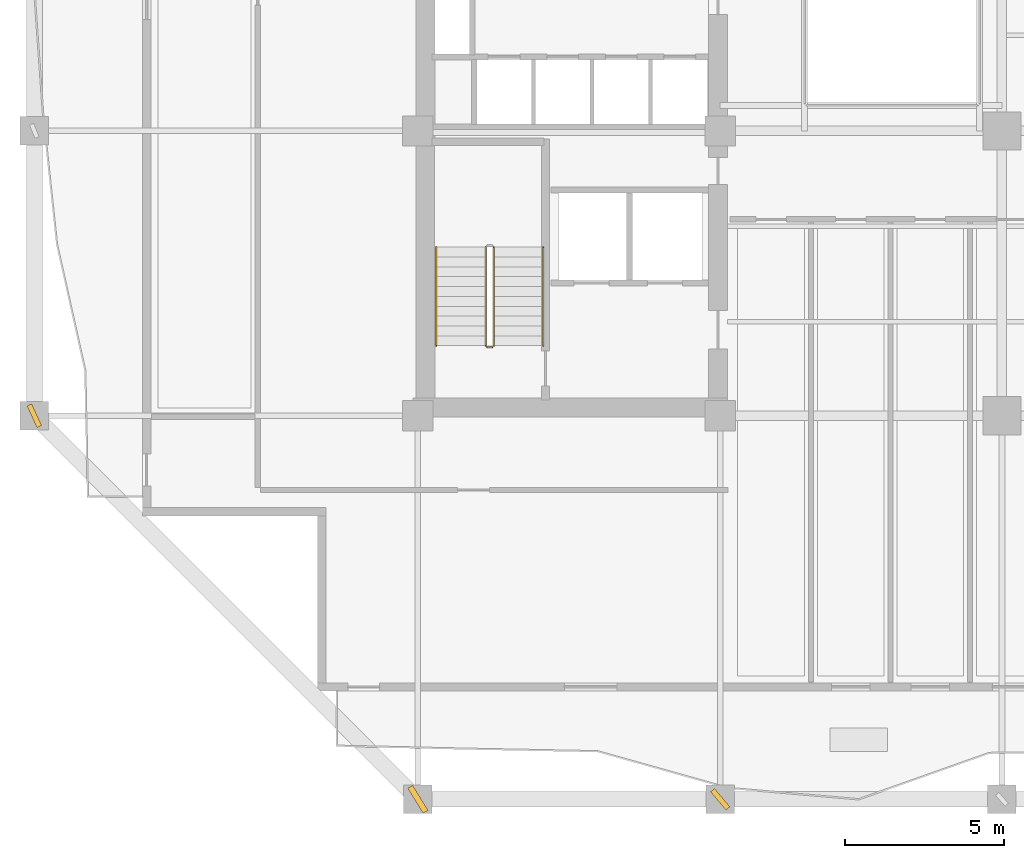
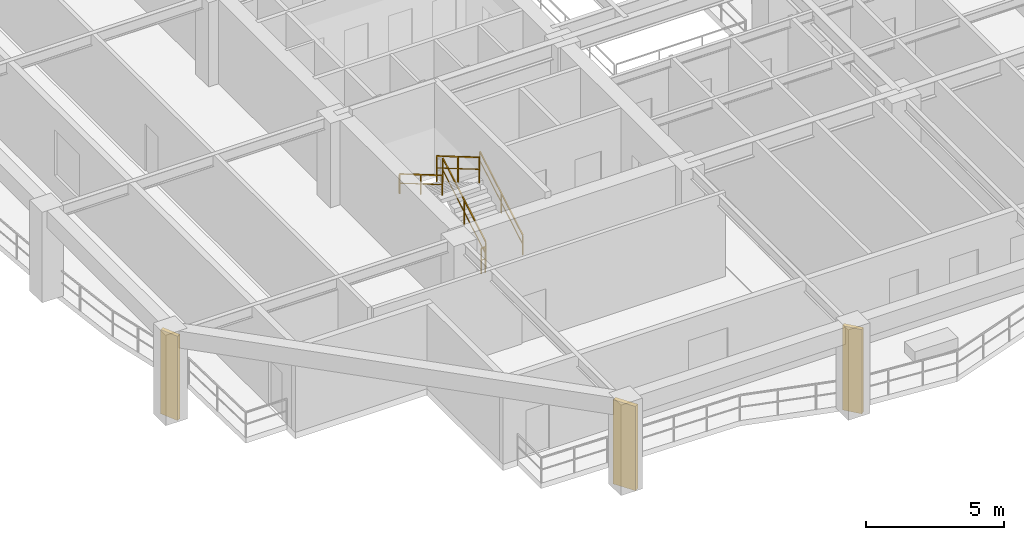
# One storey, part 7 of 13: 5 railings, 3 shading devices.
"""IFC4 building model written with IfcOpenShell, lengths in metres."""

from ifc_helpers import new_model, si_unit, direction, frame, origin, origin_2d, place, context, subcontext, project, spatial, rectangle, extrude, material, type_object, element, save


model = new_model("IFC4")

# Units and contexts
model_context = context("Model", 3, precision=1e-05, world=origin(), true_north=direction((0.0, 1.0)))
body_context = subcontext(model_context, "Body", "Model", "MODEL_VIEW")
ifc_project = project(units=[si_unit("LENGTHUNIT", "METRE"), si_unit("AREAUNIT", "SQUARE_METRE"), si_unit("VOLUMEUNIT", "CUBIC_METRE"), si_unit("PLANEANGLEUNIT", "RADIAN"), si_unit("MASSUNIT", "GRAM", prefix="KILO")], contexts=[model_context])

# Site, building, storey
site_placement = place(None, origin())
site = spatial("IfcSite", under=ifc_project, at=site_placement, CompositionType="ELEMENT")
building_placement = place(site_placement, origin())
building = spatial("IfcBuilding", under=site, at=building_placement, Name="Kundavana Baori Tower", CompositionType="ELEMENT")
storey_placement = place(building_placement, frame((0.0, 0.0, 66.0)))
storey = spatial("IfcBuildingStorey", under=building, at=storey_placement, Name="L15", CompositionType="ELEMENT", Elevation=66.0)

# Railings
ifc_material_1 = material(Name="Architectural Patinated Bronze Metalwork")
railing_type_1 = type_object("IfcRailingType", Name="RL-GRD-1150", PredefinedType="GUARDRAIL", material=ifc_material_1)
railing_1_placement = place(storey_placement, frame((17.840087890625, 17.449951171875, 0.181884765625)))
element("IfcRailing", 1, at=railing_1_placement, inside=storey, type_object=railing_type_1, Name="L15 ST1 stair guard 1", PredefinedType="GUARDRAIL", context=body_context, shape_type="SweptSolid", body=[
    extrude(rectangle(XDim=0.048095703125, YDim=0.048095703125, at=origin_2d()), frame((0.0, 0.0, 1.1259765625), z_axis=(0.0, 0.862598821094, 0.505888598258), x_axis=(-1.0, 0.0, 0.0)), (0.0, 0.0, 1.0), 3.593994140625),
    extrude(rectangle(XDim=0.03125, YDim=0.03125, at=origin_2d()), frame((0.0, 0.0, 0.597900390625), z_axis=(0.0, 0.862598821094, 0.505888598258), x_axis=(-1.0, 0.0, 0.0)), (0.0, 0.0, 1.0), 3.593994140625),
    extrude(rectangle(XDim=0.0419921875, YDim=0.0419921875, at=origin_2d()), origin(), (0.0, 0.0, 1.0), 1.101806640625),
    extrude(rectangle(XDim=0.0419921875, YDim=0.0419921875, at=origin_2d()), frame((0.0, 1.550048828125, 0.9091796875)), (0.0, 0.0, 1.0), 1.101806640625),
    extrude(rectangle(XDim=0.0419921875, YDim=0.0419921875, at=origin_2d()), frame((0.0, 3.10009765625, 1.818115234375)), (0.0, 0.0, 1.0), 1.101806640625),
])
railing_2_placement = place(storey_placement, frame((17.580078125, 20.550048828125, 2.181884765625)))
element("IfcRailing", 2, at=railing_2_placement, inside=storey, type_object=railing_type_1, Name="L15 ST1 stair guard 3", PredefinedType="GUARDRAIL", context=body_context, shape_type="SweptSolid", body=[
    extrude(rectangle(XDim=0.048095703125, YDim=0.048095703125, at=origin_2d()), frame((0.0, 0.0, 1.1259765625), z_axis=(0.0, -0.862598821094, 0.505888598258), x_axis=(1.0, 0.0, 0.0)), (0.0, 0.0, 1.0), 3.593994140625),
    extrude(rectangle(XDim=0.03125, YDim=0.03125, at=origin_2d()), frame((0.0, 0.0, 0.597900390625), z_axis=(0.0, -0.862598821094, 0.505888598258), x_axis=(1.0, 0.0, 0.0)), (0.0, 0.0, 1.0), 3.593994140625),
    extrude(rectangle(XDim=0.0419921875, YDim=0.0419921875, at=origin_2d()), origin(), (0.0, 0.0, 1.0), 1.101806640625),
    extrude(rectangle(XDim=0.0419921875, YDim=0.0419921875, at=origin_2d()), frame((0.0, -1.550048828125, 0.9091796875)), (0.0, 0.0, 1.0), 1.101806640625),
    extrude(rectangle(XDim=0.0419921875, YDim=0.0419921875, at=origin_2d()), frame((0.0, -3.10009765625, 1.818115234375)), (0.0, 0.0, 1.0), 1.101806640625),
])
railing_3_placement = place(storey_placement, frame((17.7900390625, 17.39990234375, 0.0)))
element("IfcRailing", 3, at=railing_3_placement, inside=storey, type_object=railing_type_1, Name="L15 ST1 stair guard 4", PredefinedType="GUARDRAIL", context=body_context, shape_type="SweptSolid", body=[
    extrude(rectangle(XDim=0.048095703125, YDim=0.048095703125, at=origin_2d()), frame((0.0, 0.0, 1.1259765625), z_axis=(-1.0, 0.0, 0.0), x_axis=(0.0, -1.0, 0.0)), (0.0, 0.0, 1.0), 0.16015625),
    extrude(rectangle(XDim=0.03125, YDim=0.03125, at=origin_2d()), frame((0.0, 0.0, 0.597900390625), z_axis=(-1.0, 0.0, 0.0), x_axis=(0.0, -1.0, 0.0)), (0.0, 0.0, 1.0), 0.16015625),
    extrude(rectangle(XDim=0.0419921875, YDim=0.0419921875, at=origin_2d()), origin(), (0.0, 0.0, 1.0), 1.101806640625),
    extrude(rectangle(XDim=0.0419921875, YDim=0.0419921875, at=origin_2d()), frame((-0.16015625, 0.0, 0.0)), (0.0, 0.0, 1.0), 1.101806640625),
])
ifc_material_2 = material(Name="Architectural Patinated Bronze Metalwork")
railing_type_2 = type_object("IfcRailingType", Name="RL-HND-920", PredefinedType="HANDRAIL", material=ifc_material_2)
railing_4_placement = place(storey_placement, frame((19.389892578125, 17.449951171875, 0.181884765625)))
element("IfcRailing", 4, at=railing_4_placement, inside=storey, type_object=railing_type_2, Name="L15 ST1 stair handrail 1", PredefinedType="HANDRAIL", context=body_context, shape_type="SweptSolid", body=[
    extrude(rectangle(XDim=0.048095703125, YDim=0.048095703125, at=origin_2d()), frame((0.0, 0.0, 0.8759765625), z_axis=(0.0, 0.862598821094, 0.505888598258), x_axis=(-1.0, 0.0, 0.0)), (0.0, 0.0, 1.0), 3.593994140625),
    extrude(rectangle(XDim=0.03125, YDim=0.03125, at=origin_2d()), frame((0.0, 0.0, 0.468017578125), z_axis=(0.0, 0.862598821094, 0.505888598258), x_axis=(-1.0, 0.0, 0.0)), (0.0, 0.0, 1.0), 3.593994140625),
    extrude(rectangle(XDim=0.0419921875, YDim=0.0419921875, at=origin_2d()), origin(), (0.0, 0.0, 1.0), 0.851806640625),
    extrude(rectangle(XDim=0.0419921875, YDim=0.0419921875, at=origin_2d()), frame((0.0, 1.550048828125, 0.9091796875)), (0.0, 0.0, 1.0), 0.851806640625),
    extrude(rectangle(XDim=0.0419921875, YDim=0.0419921875, at=origin_2d()), frame((0.0, 3.10009765625, 1.818115234375)), (0.0, 0.0, 1.0), 0.851806640625),
])
railing_5_placement = place(storey_placement, frame((16.030029296875, 20.550048828125, 2.181884765625)))
element("IfcRailing", 5, at=railing_5_placement, inside=storey, type_object=railing_type_2, Name="L15 ST1 stair handrail 2", PredefinedType="HANDRAIL", context=body_context, shape_type="SweptSolid", body=[
    extrude(rectangle(XDim=0.048095703125, YDim=0.048095703125, at=origin_2d()), frame((0.0, 0.0, 0.8759765625), z_axis=(0.0, -0.862598821094, 0.505888598258), x_axis=(1.0, 0.0, 0.0)), (0.0, 0.0, 1.0), 3.593994140625),
    extrude(rectangle(XDim=0.03125, YDim=0.03125, at=origin_2d()), frame((0.0, 0.0, 0.468017578125), z_axis=(0.0, -0.862598821094, 0.505888598258), x_axis=(1.0, 0.0, 0.0)), (0.0, 0.0, 1.0), 3.593994140625),
    extrude(rectangle(XDim=0.0419921875, YDim=0.0419921875, at=origin_2d()), origin(), (0.0, 0.0, 1.0), 0.851806640625),
    extrude(rectangle(XDim=0.0419921875, YDim=0.0419921875, at=origin_2d()), frame((0.0, -1.550048828125, 0.9091796875)), (0.0, 0.0, 1.0), 0.851806640625),
    extrude(rectangle(XDim=0.0419921875, YDim=0.0419921875, at=origin_2d()), frame((0.0, -3.10009765625, 1.818115234375)), (0.0, 0.0, 1.0), 0.851806640625),
])

# Shading devices
ifc_material_3 = material(Name="Red-Buff Dholpur Sandstone Cladding on Concrete C40/50", Category="masonry")
shading_device_type_1 = type_object("IfcShadingDeviceType", Name="SHD-FIN-750", PredefinedType="JALOUSIE", material=ifc_material_3)
for number, where, z_axis, x_axis, name in (
    (6, (24.949951171875, 3.199951171875, 0.0), (0.0, 0.0, 1.0), (0.763457963096, 0.645857521893, 0.0), "L15 Sweeping Dholpur Sandstone Facade Fin 2"),
    (7, (3.39990234375, 15.25, 0.0), (0.0, 0.0, 1.0), (0.90887248936, 0.417074091841, 0.0), "L15 Sweeping Dholpur Sandstone Facade Fin 5"),
):
    element("IfcShadingDevice", number, at=place(storey_placement, frame(where, z_axis=z_axis, x_axis=x_axis)), inside=storey, type_object=shading_device_type_1, Name=name, PredefinedType="JALOUSIE", context=body_context, shape_type="SweptSolid", body=[
        extrude(rectangle(XDim=0.159912109375, YDim=0.75, at=origin_2d()), origin(), (0.0, 0.0, 1.0), 3.719970703125),
    ])
ifc_material_4 = material(Name="Red-Buff Dholpur Sandstone Cladding on Concrete C40/50", Category="masonry")
shading_device_type_2 = type_object("IfcShadingDeviceType", Name="SHD-FIN-920", PredefinedType="JALOUSIE", material=ifc_material_4)
shading_device_placement = place(storey_placement, frame((15.449951171875, 3.199951171875, 0.0), z_axis=(0.0, 0.0, 1.0), x_axis=(0.851086129097, 0.525026095407, 0.0)))
element("IfcShadingDevice", 8, at=shading_device_placement, inside=storey, type_object=shading_device_type_2, Name="L15 Sweeping Dholpur Sandstone Facade Fin 1", PredefinedType="JALOUSIE", context=body_context, shape_type="SweptSolid", body=[
    extrude(rectangle(XDim=0.179931640625, YDim=0.919921875, at=origin_2d()), origin(), (0.0, 0.0, 1.0), 3.719970703125),
])

save(model, "model.ifc")
